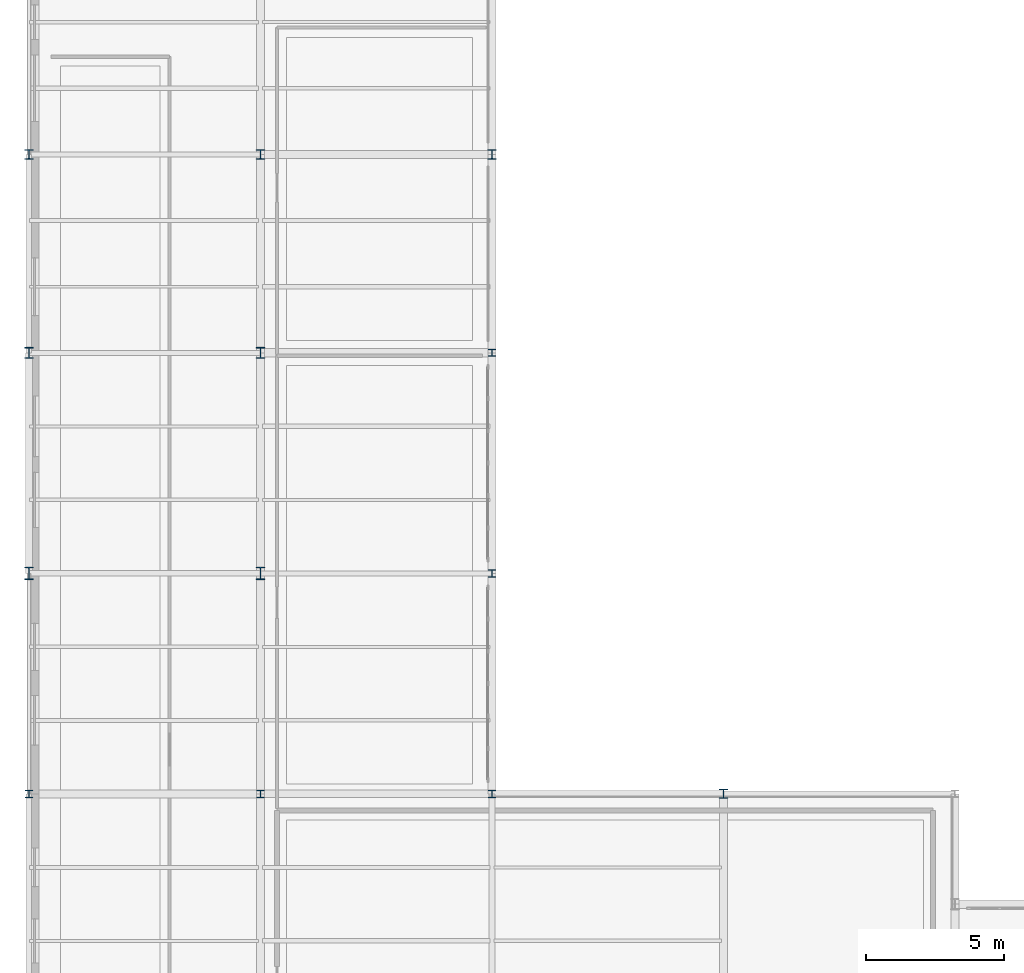
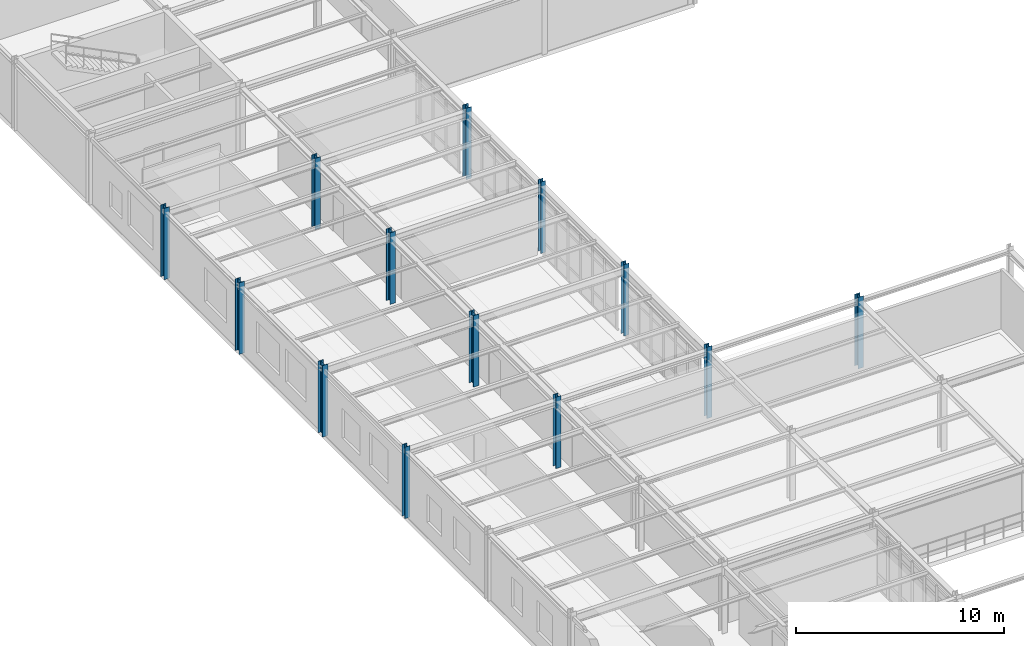
# One storey, part 11 of 90: 13 columns.
"""IFC4 building model written with IfcOpenShell, lengths in metres."""

from ifc_helpers import new_model, si_unit, derived_unit, direction, frame, origin, origin_2d, place, context, subcontext, project, spatial, i_section, extrude, material, material_profile, profile_set, type_object, element, save


model = new_model("IFC4")

# Units and contexts
model_context = context("Model", 3, precision=1e-05, world=origin(), true_north=direction((0.0, 1.0)))
body_context = subcontext(model_context, "Body", "Model", "MODEL_VIEW")
ifc_project = project(units=[si_unit("LENGTHUNIT", "METRE"), si_unit("AREAUNIT", "SQUARE_METRE"), si_unit("VOLUMEUNIT", "CUBIC_METRE"), si_unit("PLANEANGLEUNIT", "RADIAN"), si_unit("MASSUNIT", "GRAM", prefix="KILO"), derived_unit("THERMALTRANSMITTANCEUNIT", [(si_unit("POWERUNIT", "WATT"), 1), (si_unit("AREAUNIT", "SQUARE_METRE"), -1), (si_unit("THERMODYNAMICTEMPERATUREUNIT", "KELVIN"), -1)])], contexts=[model_context])

# Site, building, storey
site_placement = place(None, origin())
site = spatial("IfcSite", under=ifc_project, at=site_placement, CompositionType="ELEMENT")
building_placement = place(site_placement, origin())
building = spatial("IfcBuilding", under=site, at=building_placement, Name="Yasenodar Specialist Clinic", CompositionType="ELEMENT")
storey_placement = place(building_placement, frame((0.0, 0.0, 9.0)))
storey = spatial("IfcBuildingStorey", under=building, at=storey_placement, Name="L02", CompositionType="ELEMENT", Elevation=9.0)

# Columns
ifc_material = material(Name="Steel S355", Category="steel")
ifc_material_profile_1 = material_profile(ifc_material, i_section(OverallWidth=0.300048828125, OverallDepth=0.330078125, WebThickness=0.009521484375, FlangeThickness=0.0166015625, FilletRadius=0.027099609375, at=origin_2d()), Name="HEA 340")
ifc_profile_set_1 = profile_set([ifc_material_profile_1], Name="Steel S355")
column_type_1 = type_object("IfcColumnType", Name="COL-ST-HEA340", PredefinedType="COLUMN", material=ifc_profile_set_1)
column_1_placement = place(storey_placement, frame((25.199951171875, 66.800048828125, 0.0), z_axis=(0.0, 0.0, 1.0), x_axis=(1.0, 0.0, 0.0)))
element("IfcColumn", 1, at=column_1_placement, inside=storey, type_object=column_type_1, Name="L02 Column V4-054", PredefinedType="COLUMN", context=body_context, shape_type="SweptSolid", body=[
    extrude(i_section(OverallWidth=0.300048828125, OverallDepth=0.330078125, WebThickness=0.009521484375, FlangeThickness=0.0166015625, FilletRadius=0.027099609375, at=origin_2d()), origin(), (0.0, 0.0, 1.0), 4.199951171875),
])
ifc_material_profile_2 = material_profile(ifc_material, i_section(OverallWidth=0.260009765625, OverallDepth=0.260009765625, WebThickness=0.010009765625, FlangeThickness=0.017578125, FilletRadius=0.02392578125, at=origin_2d()), Name="HEB 260")
ifc_profile_set_2 = profile_set([ifc_material_profile_2], Name="Steel S355")
column_type_2 = type_object("IfcColumnType", Name="COL-ST-HEB260", PredefinedType="COLUMN", material=ifc_profile_set_2)
column_2_placement = place(storey_placement, frame((16.800048828125, 82.800048828125, 0.0), z_axis=(0.0, 0.0, 1.0), x_axis=(1.0, 0.0, 0.0)))
element("IfcColumn", 2, at=column_2_placement, inside=storey, type_object=column_type_2, Name="L02 Column V4-041", PredefinedType="COLUMN", context=body_context, shape_type="SweptSolid", body=[
    extrude(i_section(OverallWidth=0.260009765625, OverallDepth=0.260009765625, WebThickness=0.010009765625, FlangeThickness=0.017578125, FilletRadius=0.02392578125, at=origin_2d()), origin(), (0.0, 0.0, 1.0), 4.199951171875),
])
ifc_material_profile_3 = material_profile(ifc_material, i_section(OverallWidth=0.280029296875, OverallDepth=0.280029296875, WebThickness=0.010498046875, FlangeThickness=0.01806640625, FilletRadius=0.02392578125, at=origin_2d()), Name="HEB 280")
ifc_profile_set_3 = profile_set([ifc_material_profile_3], Name="Steel S355")
column_type_3 = type_object("IfcColumnType", Name="COL-ST-HEB280", PredefinedType="COLUMN", material=ifc_profile_set_3)
for number, where, z_axis, x_axis, name in (
    (3, (0.0, 66.800048828125, 0.0), (0.0, 0.0, 1.0), (1.0, 0.0, 0.0), "L02 Column V4-009"),
    (4, (8.39990234375, 66.800048828125, 0.0), (0.0, 0.0, 1.0), (1.0, 0.0, 0.0), "L02 Column V4-024"),
    (5, (16.800048828125, 66.800048828125, 0.0), (0.0, 0.0, 1.0), (1.0, 0.0, 0.0), "L02 Column V4-039"),
    (6, (16.800048828125, 74.800048828125, 0.0), (0.0, 0.0, 1.0), (1.0, 0.0, 0.0), "L02 Column V4-040"),
):
    element("IfcColumn", number, at=place(storey_placement, frame(where, z_axis=z_axis, x_axis=x_axis)), inside=storey, type_object=column_type_3, Name=name, PredefinedType="COLUMN", context=body_context, shape_type="SweptSolid", body=[
        extrude(i_section(OverallWidth=0.280029296875, OverallDepth=0.280029296875, WebThickness=0.010498046875, FlangeThickness=0.01806640625, FilletRadius=0.02392578125, at=origin_2d()), origin(), (0.0, 0.0, 1.0), 4.199951171875),
    ])
ifc_material_profile_4 = material_profile(ifc_material, i_section(OverallWidth=0.300048828125, OverallDepth=0.340087890625, WebThickness=0.011962890625, FlangeThickness=0.021484375, FilletRadius=0.027099609375, at=origin_2d()), Name="HEB 340")
ifc_profile_set_4 = profile_set([ifc_material_profile_4], Name="Steel S355")
column_type_4 = type_object("IfcColumnType", Name="COL-ST-HEB340", PredefinedType="COLUMN", material=ifc_profile_set_4)
for number, where, z_axis, x_axis, name in (
    (7, (0.0, 90.0, 0.0), (0.0, 0.0, 1.0), (1.0, 0.0, 0.0), "L02 Column V4-012"),
    (8, (8.39990234375, 90.0, 0.0), (0.0, 0.0, 1.0), (1.0, 0.0, 0.0), "L02 Column V4-027"),
    (9, (16.800048828125, 90.0, 0.0), (0.0, 0.0, 1.0), (1.0, 0.0, 0.0), "L02 Column V4-042"),
):
    element("IfcColumn", number, at=place(storey_placement, frame(where, z_axis=z_axis, x_axis=x_axis)), inside=storey, type_object=column_type_4, Name=name, PredefinedType="COLUMN", context=body_context, shape_type="SweptSolid", body=[
        extrude(i_section(OverallWidth=0.300048828125, OverallDepth=0.340087890625, WebThickness=0.011962890625, FlangeThickness=0.021484375, FilletRadius=0.027099609375, at=origin_2d()), origin(), (0.0, 0.0, 1.0), 4.199951171875),
    ])
ifc_material_profile_5 = material_profile(ifc_material, i_section(OverallWidth=0.300048828125, OverallDepth=0.39990234375, WebThickness=0.013427734375, FlangeThickness=0.02392578125, FilletRadius=0.027099609375, at=origin_2d()), Name="HEB 400")
ifc_profile_set_5 = profile_set([ifc_material_profile_5], Name="Steel S355")
column_type_5 = type_object("IfcColumnType", Name="COL-ST-HEB400", PredefinedType="COLUMN", material=ifc_profile_set_5)
for number, where, z_axis, x_axis, name in (
    (10, (0.0, 82.800048828125, 0.0), (0.0, 0.0, 1.0), (1.0, 0.0, 0.0), "L02 Column V4-011"),
    (11, (8.39990234375, 82.800048828125, 0.0), (0.0, 0.0, 1.0), (1.0, 0.0, 0.0), "L02 Column V4-026"),
):
    element("IfcColumn", number, at=place(storey_placement, frame(where, z_axis=z_axis, x_axis=x_axis)), inside=storey, type_object=column_type_5, Name=name, PredefinedType="COLUMN", context=body_context, shape_type="SweptSolid", body=[
        extrude(i_section(OverallWidth=0.300048828125, OverallDepth=0.39990234375, WebThickness=0.013427734375, FlangeThickness=0.02392578125, FilletRadius=0.027099609375, at=origin_2d()), origin(), (0.0, 0.0, 1.0), 4.199951171875),
    ])
ifc_material_profile_6 = material_profile(ifc_material, i_section(OverallWidth=0.300048828125, OverallDepth=0.449951171875, WebThickness=0.013916015625, FlangeThickness=0.02587890625, FilletRadius=0.027099609375, at=origin_2d()), Name="HEB 450")
ifc_profile_set_6 = profile_set([ifc_material_profile_6], Name="Steel S355")
column_type_6 = type_object("IfcColumnType", Name="COL-ST-HEB450", PredefinedType="COLUMN", material=ifc_profile_set_6)
for number, where, z_axis, x_axis, name in (
    (12, (0.0, 74.800048828125, 0.0), (0.0, 0.0, 1.0), (1.0, 0.0, 0.0), "L02 Column V4-010"),
    (13, (8.39990234375, 74.800048828125, 0.0), (0.0, 0.0, 1.0), (1.0, 0.0, 0.0), "L02 Column V4-025"),
):
    element("IfcColumn", number, at=place(storey_placement, frame(where, z_axis=z_axis, x_axis=x_axis)), inside=storey, type_object=column_type_6, Name=name, PredefinedType="COLUMN", context=body_context, shape_type="SweptSolid", body=[
        extrude(i_section(OverallWidth=0.300048828125, OverallDepth=0.449951171875, WebThickness=0.013916015625, FlangeThickness=0.02587890625, FilletRadius=0.027099609375, at=origin_2d()), origin(), (0.0, 0.0, 1.0), 4.199951171875),
    ])

save(model, "model.ifc")
